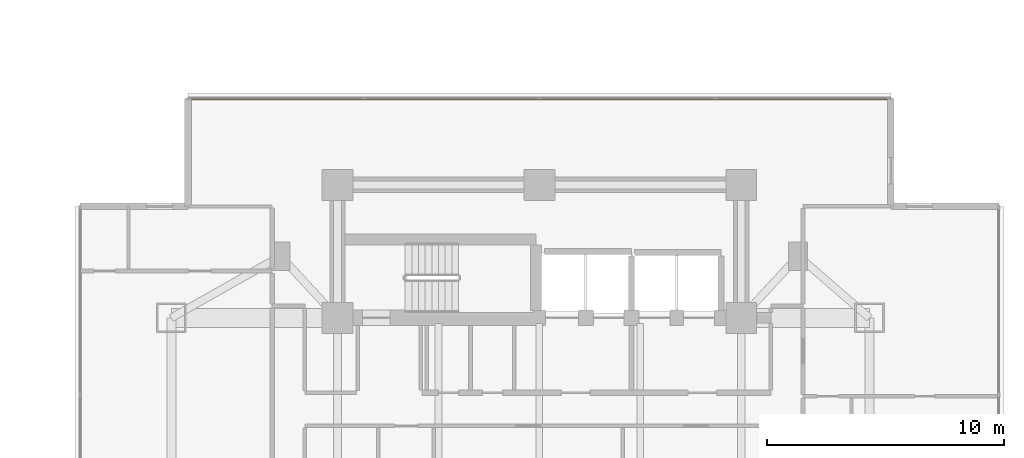
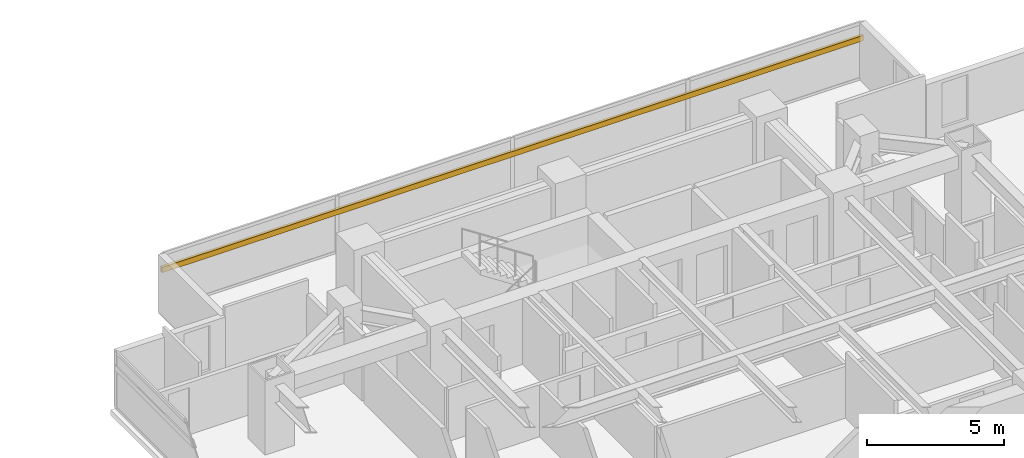
# One storey, part 26 of 26: 1 shading device.
"""IFC4 building model written with IfcOpenShell, lengths in metres."""

import ifcopenshell
import ifcopenshell.guid

model = None  # the IFC model being written
_history = None  # IfcOwnerHistory: only IFC2X3 demands one
_inside = {}  # id of a spatial element -> (the spatial element, [elements in it])
_under = {}  # id of a project, library or spatial element -> (it, [spatial elements below it])
_declared = {}  # id of a project -> (the project, [libraries it declares])
_typed = {}  # id of a type object -> (the type object, [elements of that type])
_made_of = {}  # id of a material, layer set ... -> (it, [elements and type objects made of it])


def new_model(schema):
    """Start an empty IFC model of exactly this schema.

    Asked for "IFC4X3", IfcOpenShell would pick the latest addendum, in which some entities
    have other attributes; the version numbers below select the first issue.
    IFC2X3 requires an IfcOwnerHistory on every rooted entity: one is made here for all.
    """
    global model, _history
    if schema == "IFC4X3":
        model = ifcopenshell.file(schema_version=(4, 3, 0, 0))
    else:
        model = ifcopenshell.file(schema=schema)
    _inside.clear()
    _under.clear()
    _declared.clear()
    _typed.clear()
    _made_of.clear()
    _history = None
    if model.schema == "IFC2X3":
        org = make("IfcOrganization", Name="unknown")
        user = make(
            "IfcPersonAndOrganization",
            ThePerson=make("IfcPerson", FamilyName="unknown"),
            TheOrganization=org,
        )
        app = make(
            "IfcApplication",
            ApplicationDeveloper=org,
            Version="unknown",
            ApplicationFullName="unknown",
            ApplicationIdentifier="unknown",
        )
        _history = make(
            "IfcOwnerHistory",
            OwningUser=user,
            OwningApplication=app,
            ChangeAction="ADDED",
            CreationDate=0,
        )
    return model


def make(cls, **values):
    """One entity of the class cls with the attributes given. An attribute that is None is left unset."""
    return model.create_entity(
        cls, **{name: value for name, value in values.items() if value is not None}
    )


def rooted(cls, **values):
    """An entity with a GlobalId (a new one), such as an element, a storey or a relation."""
    return make(cls, GlobalId=ifcopenshell.guid.new(), OwnerHistory=_history, **values)


def si_unit(unit_type, name, prefix=None):
    """IfcSIUnit, for example si_unit("LENGTHUNIT", "METRE", prefix="MILLI")."""
    return make("IfcSIUnit", UnitType=unit_type, Prefix=prefix, Name=name)


def assignment(units):
    """IfcUnitAssignment: the units of a project."""
    return None if units is None else make("IfcUnitAssignment", Units=units)


def point(xyz):
    """IfcCartesianPoint."""
    return None if xyz is None else make("IfcCartesianPoint", Coordinates=xyz)


def direction(xyz):
    """IfcDirection."""
    return None if xyz is None else make("IfcDirection", DirectionRatios=xyz)


def frame(location, z_axis=None, x_axis=None):
    """IfcAxis2Placement3D, a coordinate frame: its origin and axes. An axis left out is left unset."""
    return make(
        "IfcAxis2Placement3D",
        Location=point(location),
        Axis=direction(z_axis),
        RefDirection=direction(x_axis),
    )


def frame_2d(location, x_axis=None):
    """IfcAxis2Placement2D, a coordinate frame in the plane: its origin and x axis."""
    return make(
        "IfcAxis2Placement2D", Location=point(location), RefDirection=direction(x_axis)
    )


def origin():
    """The frame at (0, 0, 0) with its axes left unset."""
    return frame((0.0, 0.0, 0.0))


def origin_2d():
    """The frame at (0, 0) in the plane with its x axis left unset."""
    return frame_2d((0.0, 0.0))


def place(relative_to, where):
    """IfcLocalPlacement: puts the frame where relative to a parent placement (None: the world)."""
    return make(
        "IfcLocalPlacement", PlacementRelTo=relative_to, RelativePlacement=where
    )


def context(
    kind, dimensions, precision=None, world=None, true_north=None, identifier=None
):
    """IfcGeometricRepresentationContext, for example the 3D "Model" context."""
    return make(
        "IfcGeometricRepresentationContext",
        ContextIdentifier=identifier,
        ContextType=kind,
        CoordinateSpaceDimension=dimensions,
        Precision=precision,
        WorldCoordinateSystem=world,
        TrueNorth=true_north,
    )


def subcontext(parent, identifier, kind, view, scale=None):
    """IfcGeometricRepresentationSubContext, for example "Body" below "Model"."""
    return make(
        "IfcGeometricRepresentationSubContext",
        ContextIdentifier=identifier,
        ContextType=kind,
        ParentContext=parent,
        TargetScale=scale,
        TargetView=view,
    )


def project(units=None, contexts=None):
    """IfcProject with its units and contexts."""
    return rooted(
        "IfcProject",
        Name="project",
        RepresentationContexts=contexts,
        UnitsInContext=assignment(units),
    )


def spatial(cls, under=None, at=None, **own):
    """A site, building, storey or space (cls), placed at a placement, below another one or the project."""
    s = rooted(cls, ObjectPlacement=at, **own)
    if under is not None:
        _under.setdefault(under.id(), (under, []))[1].append(s)
    return s


def profile(cls, at=None, kind="AREA", **sizes):
    """A parametric profile (cls). Its sizes go by their IFC names, for example OverallWidth=200.0."""
    return make(cls, ProfileType=kind, Position=at, **sizes)


def rectangle(**sizes):
    """IfcRectangleProfileDef."""
    return profile("IfcRectangleProfileDef", **sizes)


def extrude(swept, where, along, depth):
    """IfcExtrudedAreaSolid: the profile swept, set in the frame where, extruded along a direction by depth."""
    return make(
        "IfcExtrudedAreaSolid",
        SweptArea=swept,
        Position=where,
        ExtrudedDirection=direction(along),
        Depth=depth,
    )


def shape(context_of_items, identifier, shape_type, items):
    """IfcShapeRepresentation: the items that make up one representation, for example the "Body"."""
    return make(
        "IfcShapeRepresentation",
        ContextOfItems=context_of_items,
        RepresentationIdentifier=identifier,
        RepresentationType=shape_type,
        Items=items,
    )


def material(Name=None, Category=None):
    """IfcMaterial."""
    return make("IfcMaterial", Name=Name, Category=Category)


def material_profile(
    of_material, cross_section, Name=None, Category=None, Priority=None
):
    """IfcMaterialProfile: a cross section and its material."""
    return make(
        "IfcMaterialProfile",
        Name=Name,
        Material=of_material,
        Profile=cross_section,
        Priority=Priority,
        Category=Category,
    )


def profile_set(profiles, Name=None, composite=None):
    """IfcMaterialProfileSet."""
    return make(
        "IfcMaterialProfileSet",
        Name=Name,
        MaterialProfiles=profiles,
        CompositeProfile=composite,
    )


def made_of(thing, what):
    """Note that an element or type object is made of a material, layer set ...; save() writes the relation."""
    if what is not None:
        _made_of.setdefault(what.id(), (what, []))[1].append(thing)
    return thing


def type_object(cls, material=None, **own):
    """A type object (cls), such as IfcWallType, which elements share."""
    return made_of(rooted(cls, **own), material)


def element(
    cls,
    number,
    at=None,
    inside=None,
    cuts=None,
    type_object=None,
    material=None,
    context=None,
    identifier="Body",
    shape_type=None,
    held_by="IfcProductDefinitionShape",
    body=None,
    shapes=None,
    **own,
):
    """One element of the class cls, such as IfcWall. Its Tag is "e" and its number.

    at: its placement. inside: the storey or other place that contains it. cuts: it is an
    opening in that element (IfcRelVoidsElement). A single representation is given by context,
    identifier, shape_type and body (its items); several are given by shapes. held_by: the class
    of the entity that holds the representations. save() writes the other relations.
    """
    e = rooted(cls, Tag="e%d" % number, ObjectPlacement=at, **own)
    if body is not None:
        shapes = [shape(context, identifier, shape_type, body)]
    if shapes is not None:
        e.Representation = make(held_by, Representations=shapes)
    if inside is not None:
        _inside.setdefault(inside.id(), (inside, []))[1].append(e)
    if cuts is not None:
        rooted(
            "IfcRelVoidsElement", RelatingBuildingElement=cuts, RelatedOpeningElement=e
        )
    if type_object is not None:
        _typed.setdefault(type_object.id(), (type_object, []))[1].append(e)
    return made_of(e, material)


def aggregate(whole, parts):
    """IfcRelAggregates: a whole, such as a stair, and the parts it consists of."""
    return rooted("IfcRelAggregates", RelatingObject=whole, RelatedObjects=parts)


def save(model, path):
    """Write the relations noted so far, then the file.

    IfcRelAggregates (storeys below a building ...), IfcRelContainedInSpatialStructure (elements
    in a storey), IfcRelDefinesByType, IfcRelAssociatesMaterial and IfcRelDeclares: one each for
    every whole, place, type object, material and project.
    """
    for whole, parts in _under.values():
        aggregate(whole, parts)
    for where, things in _inside.values():
        rooted(
            "IfcRelContainedInSpatialStructure",
            RelatedElements=things,
            RelatingStructure=where,
        )
    for kind, things in _typed.values():
        rooted("IfcRelDefinesByType", RelatedObjects=things, RelatingType=kind)
    for what, things in _made_of.values():
        rooted("IfcRelAssociatesMaterial", RelatedObjects=things, RelatingMaterial=what)
    for by, libraries in _declared.values():
        rooted("IfcRelDeclares", RelatingContext=by, RelatedDefinitions=libraries)
    model.write(path)


model = new_model("IFC4")

# Units and contexts
model_context = context("Model", 3, precision=1e-05, world=origin(), true_north=direction((0.0, 1.0)))
body_context = subcontext(model_context, "Body", "Model", "MODEL_VIEW")
ifc_project = project(units=[si_unit("LENGTHUNIT", "METRE"), si_unit("AREAUNIT", "SQUARE_METRE"), si_unit("VOLUMEUNIT", "CUBIC_METRE"), si_unit("PLANEANGLEUNIT", "RADIAN"), si_unit("MASSUNIT", "GRAM", prefix="KILO")], contexts=[model_context])

# Site, building, storey
site_placement = place(None, origin())
site = spatial("IfcSite", under=ifc_project, at=site_placement, CompositionType="ELEMENT")
building_placement = place(site_placement, origin())
building = spatial("IfcBuilding", under=site, at=building_placement, Name="Mirazonda Arch Towers", CompositionType="ELEMENT")
storey_placement = place(building_placement, frame((0.0, 0.0, 78.5)))
storey = spatial("IfcBuildingStorey", under=building, at=storey_placement, Name="L22", CompositionType="ELEMENT", Elevation=78.5)

# Shading device
ifc_material = material(Name="Kiln-Fired Architectural Terracotta", Category="masonry")
ifc_material_profile = material_profile(ifc_material, rectangle(XDim=0.1201171875, YDim=0.239990234375, at=origin_2d()), Name="TERRA-BAG-120x240")
ifc_profile_set = profile_set([ifc_material_profile], Name="Kiln-Fired Architectural Terracotta")
shading_device_type = type_object("IfcShadingDeviceType", Name="BAGUETTE-1", PredefinedType="USERDEFINED", material=ifc_profile_set)
shading_device_placement = place(storey_placement, frame((61.701904296875, 44.4423828125, 1.84326171875), z_axis=(1.0, 0.0, 0.0), x_axis=(0.0, 1.0, 0.0)))
element("IfcShadingDevice", 1, at=shading_device_placement, inside=storey, type_object=shading_device_type, Name="L22 Glazed Terracotta Sun-Screen Baguette CW-L22-T2-N", ObjectType="BAGUETTE", PredefinedType="USERDEFINED", context=body_context, shape_type="SweptSolid", body=[
    extrude(rectangle(XDim=0.1201171875, YDim=0.239990234375, at=origin_2d()), origin(), (0.0, 0.0, 1.0), 29.59619140625),
])

save(model, "model.ifc")
